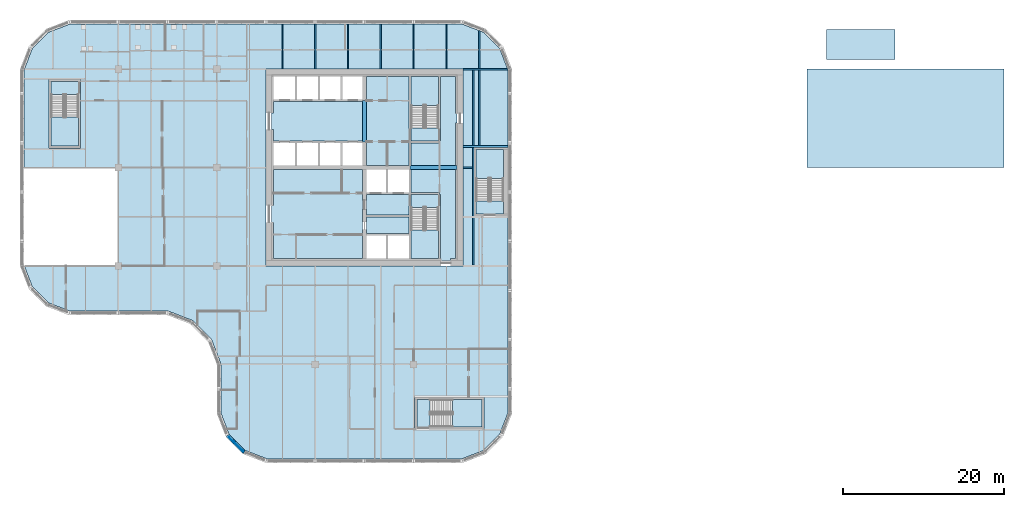
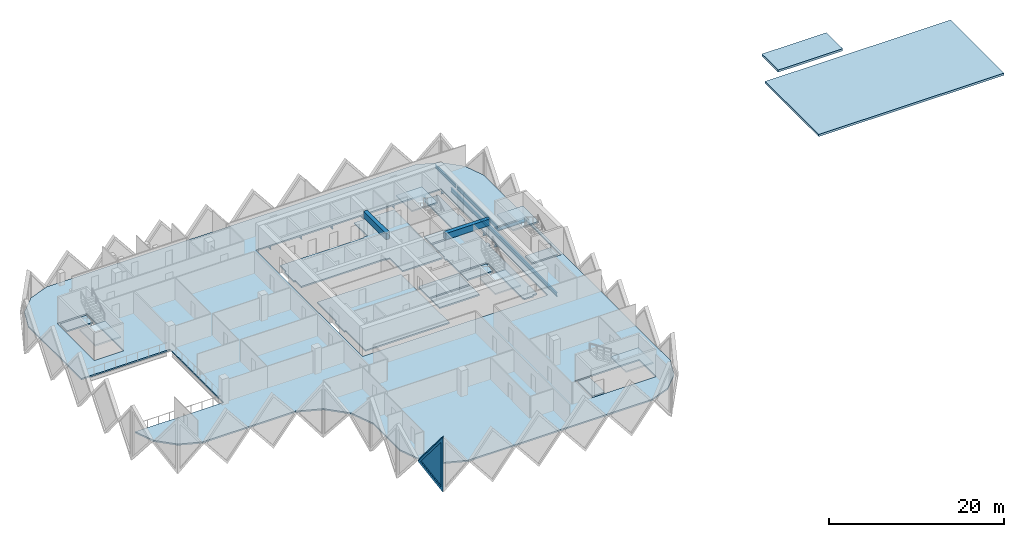
# One storey, part 2 of 13: 18 slabs, 14 beams, 1 plate, 1 wall, 1 opening, 5 elements without a shape of their own.
"""IFC4 building model written with IfcOpenShell, lengths in metres."""

from ifc_helpers import new_model, si_unit, direction, frame, origin, origin_2d, place, context, subcontext, project, spatial, polyline, rectangle, i_section, outline, extrude, faceted_brep, source, transform, mapped, material, layer, layer_set, material_profile, profile_set, type_object, element, fill, aggregate, save


model = new_model("IFC4")

# Units and contexts
model_context = context("Model", 3, precision=1e-05, world=origin(), true_north=direction((0.0, 1.0)))
body_context = subcontext(model_context, "Body", "Model", "MODEL_VIEW")
ifc_project = project(units=[si_unit("LENGTHUNIT", "METRE"), si_unit("AREAUNIT", "SQUARE_METRE"), si_unit("VOLUMEUNIT", "CUBIC_METRE"), si_unit("PLANEANGLEUNIT", "RADIAN"), si_unit("MASSUNIT", "GRAM", prefix="KILO")], contexts=[model_context])

# Site, building, storey
site_placement = place(None, origin())
site = spatial("IfcSite", under=ifc_project, at=site_placement, CompositionType="ELEMENT")
building_placement = place(site_placement, origin())
building = spatial("IfcBuilding", under=site, at=building_placement, Name="Tessera Gate Towers", CompositionType="ELEMENT")
storey_placement = place(building_placement, frame((0.0, 0.0, 116.39990234375)))
storey = spatial("IfcBuildingStorey", under=building, at=storey_placement, Name="L28", CompositionType="ELEMENT", Elevation=116.39990234375)

# Beams
ifc_material_1 = material(Name="Concrete C60/75", Category="concrete")
ifc_material_profile_1 = material_profile(ifc_material_1, rectangle(XDim=0.5, YDim=0.89990234375, at=origin_2d()), Name="RC 500x900")
ifc_profile_set_1 = profile_set([ifc_material_profile_1], Name="Concrete C60/75")
beam_type_1 = type_object("IfcBeamType", Name="COUPLING BEAM 500x900 C60/75", PredefinedType="BEAM", material=ifc_profile_set_1)
beam_1_placement = place(storey_placement, frame((48.35009765625, 36.60009765625, 3.150146484375), z_axis=(1.0, 0.0, 0.0), x_axis=(0.0, 1.0, 0.0)))
element("IfcBeam", 1, at=beam_1_placement, inside=storey, type_object=beam_type_1, Name="L28 coupling beam 1", PredefinedType="BEAM", context=body_context, shape_type="SweptSolid", body=[
    extrude(rectangle(XDim=0.5, YDim=0.89990234375, at=origin_2d()), origin(), (0.0, 0.0, 1.0), 5.849853515625),
])
beam_2_placement = place(storey_placement, frame((42.699951171875, 39.800048828125, 3.150146484375), z_axis=(0.0, 1.0, 0.0), x_axis=(-1.0, 0.0, 0.0)))
element("IfcBeam", 2, at=beam_2_placement, inside=storey, type_object=beam_type_1, Name="L28 coupling beam 2", PredefinedType="BEAM", context=body_context, shape_type="SweptSolid", body=[
    extrude(rectangle(XDim=0.5, YDim=0.89990234375, at=origin_2d()), origin(), (0.0, 0.0, 1.0), 5.099853515625),
])
ifc_material_2 = material(Name="Steel 350W", Category="steel")
ifc_material_profile_2 = material_profile(ifc_material_2, i_section(OverallWidth=0.208984375, OverallDepth=0.532958984375, WebThickness=0.01025390625, FlangeThickness=0.015625, at=origin_2d()), Name="W530x92")
ifc_profile_set_2 = profile_set([ifc_material_profile_2], Name="Steel 350W")
beam_type_2 = type_object("IfcBeamType", Name="FLOOR GIRDER W530x92", PredefinedType="BEAM", material=ifc_profile_set_2)
beam_3_placement = place(storey_placement, frame((54.89892578125, 36.60009765625, -0.46630859375), z_axis=(1.0, 0.0, 0.0), x_axis=(0.0, 1.0, 0.0)))
element("IfcBeam", 3, at=beam_3_placement, inside=storey, type_object=beam_type_2, Name="T1-GD-L28-3640", PredefinedType="BEAM", context=body_context, shape_type="SweptSolid", body=[
    extrude(i_section(OverallWidth=0.208984375, OverallDepth=0.532958984375, WebThickness=0.01025390625, FlangeThickness=0.015625, at=origin_2d()), origin(), (0.0, 0.0, 1.0), 1.176513671875),
])
beam_4_placement = place(storey_placement, frame((54.90087890625, 48.800048828125, -0.46630859375), z_axis=(1.0, 0.0, 0.0), x_axis=(0.0, 1.0, 0.0)))
element("IfcBeam", 4, at=beam_4_placement, inside=storey, type_object=beam_type_2, Name="T1-GD-L28-3644", PredefinedType="BEAM", context=body_context, shape_type="SweptSolid", body=[
    extrude(i_section(OverallWidth=0.208984375, OverallDepth=0.532958984375, WebThickness=0.01025390625, FlangeThickness=0.015625, at=origin_2d()), origin(), (0.0, 0.0, 1.0), 5.564208984375),
])
beam_5_placement = place(storey_placement, frame((54.89892578125, 39.219970703125, -0.46630859375), z_axis=(1.0, 0.0, 0.0), x_axis=(0.0, 1.0, 0.0)))
element("IfcBeam", 5, at=beam_5_placement, inside=storey, type_object=beam_type_2, Name="T1-GD-L28-3662", PredefinedType="BEAM", context=body_context, shape_type="SweptSolid", body=[
    extrude(i_section(OverallWidth=0.208984375, OverallDepth=0.532958984375, WebThickness=0.01025390625, FlangeThickness=0.015625, at=origin_2d()), origin(), (0.0, 0.0, 1.0), 5.60205078125),
])
beam_6_placement = place(storey_placement, frame((56.179931640625, 24.50439453125, -0.46630859375), z_axis=(0.0, 1.0, 0.0), x_axis=(-1.0, 0.0, 0.0)))
element("IfcBeam", 6, at=beam_6_placement, inside=storey, type_object=beam_type_2, Name="T1-GD-L28-3663", PredefinedType="BEAM", context=body_context, shape_type="SweptSolid", body=[
    extrude(i_section(OverallWidth=0.208984375, OverallDepth=0.532958984375, WebThickness=0.01025390625, FlangeThickness=0.015625, at=origin_2d()), origin(), (0.0, 0.0, 1.0), 24.191162109375),
])
ifc_material_3 = material(Name="Steel 350W", Category="steel")
ifc_material_profile_3 = material_profile(ifc_material_3, i_section(OverallWidth=0.153076171875, OverallDepth=0.455078125, WebThickness=0.008056640625, FlangeThickness=0.01318359375, at=origin_2d()), Name="W460x60")
ifc_profile_set_3 = profile_set([ifc_material_profile_3], Name="Steel 350W")
beam_type_3 = type_object("IfcBeamType", Name="FLOOR SECONDARY W460x60", PredefinedType="BEAM", material=ifc_profile_set_3)
for number, where, z_axis, x_axis, name in (
    (7, (32.533203125, 48.800048828125, -0.427490234375), (0.0, 1.0, 0.0), (-1.0, 0.0, 0.0), "T1-BM-L28-3685"),
    (8, (36.60009765625, 48.800048828125, -0.427490234375), (0.0, 1.0, 0.0), (-1.0, 0.0, 0.0), "T1-BM-L28-3686"),
    (9, (40.666748046875, 48.800048828125, -0.427490234375), (0.0, 1.0, 0.0), (-1.0, 0.0, 0.0), "T1-BM-L28-3689"),
    (10, (44.7333984375, 48.800048828125, -0.427490234375), (0.0, 1.0, 0.0), (-1.0, 0.0, 0.0), "T1-BM-L28-3692"),
    (11, (48.800048828125, 48.800048828125, -0.427490234375), (0.0, 1.0, 0.0), (-1.0, 0.0, 0.0), "T1-BM-L28-3693"),
    (12, (52.86669921875, 48.800048828125, -0.427490234375), (0.0, 1.0, 0.0), (-1.0, 0.0, 0.0), "T1-BM-L28-3697"),
):
    element("IfcBeam", number, at=place(storey_placement, frame(where, z_axis=z_axis, x_axis=x_axis)), inside=storey, type_object=beam_type_3, Name=name, PredefinedType="BEAM", context=body_context, shape_type="SweptSolid", body=[
        extrude(i_section(OverallWidth=0.153076171875, OverallDepth=0.455078125, WebThickness=0.008056640625, FlangeThickness=0.01318359375, at=origin_2d()), origin(), (0.0, 0.0, 1.0), 5.599853515625),
    ])
beam_7_placement = place(storey_placement, frame((56.933349609375, 39.324462890625, -0.427490234375), z_axis=(0.0, 1.0, 0.0), x_axis=(-1.0, 0.0, 0.0)))
element("IfcBeam", 13, at=beam_7_placement, inside=storey, type_object=beam_type_3, Name="T1-BM-L28-3702", PredefinedType="BEAM", context=body_context, shape_type="SweptSolid", body=[
    extrude(i_section(OverallWidth=0.153076171875, OverallDepth=0.455078125, WebThickness=0.008056640625, FlangeThickness=0.01318359375, at=origin_2d()), origin(), (0.0, 0.0, 1.0), 9.37109375),
])
beam_8_placement = place(storey_placement, frame((56.933349609375, 48.904541015625, -0.427490234375), z_axis=(0.0, 1.0, 0.0), x_axis=(-1.0, 0.0, 0.0)))
element("IfcBeam", 14, at=beam_8_placement, inside=storey, type_object=beam_type_3, Name="T1-BM-L28-3703", PredefinedType="BEAM", context=body_context, shape_type="SweptSolid", body=[
    extrude(i_section(OverallWidth=0.153076171875, OverallDepth=0.455078125, WebThickness=0.008056640625, FlangeThickness=0.01318359375, at=origin_2d()), origin(), (0.0, 0.0, 1.0), 4.675048828125),
])

# Slabs
ifc_material_4 = material(Name="Concrete C35/45", Category="concrete")
ifc_layer_1 = layer(ifc_material_4, 0.199951171875)
ifc_layer_set_1 = layer_set([ifc_layer_1], Name="COMPOSITE FLOOR 200")
slab_type_1 = type_object("IfcSlabType", Name="COMPOSITE FLOOR 200", PredefinedType="FLOOR", material=ifc_layer_set_1)
slab_1_placement = place(storey_placement, frame((0.0, 0.0, -0.199951171875)))
element("IfcSlab", 15, at=slab_1_placement, inside=storey, type_object=slab_type_1, Name="T1-L28", PredefinedType="FLOOR", context=body_context, shape_type="SweptSolid", body=[
    extrude(outline(polyline([(0.5, 36.60009765625), (12.199951171875, 36.60009765625), (12.199951171875, 24.39990234375), (0.535888671875, 24.39990234375), (1.526123046875, 21.8330078125), (3.533203125, 19.826171875), (6.193115234375, 18.800048828125), (18.39306640625, 18.800048828125), (21.42431640625, 17.630615234375), (23.730712890625, 15.32421875), (24.89990234375, 12.293212890625), (24.89990234375, 6.193115234375), (25.926025390625, 3.533203125), (27.93310546875, 1.526123046875), (30.593017578125, 0.5), (54.806884765625, 0.5), (57.466796875, 1.526123046875), (59.473876953125, 3.533203125), (60.5, 6.193115234375), (60.5, 48.706787109375), (59.473876953125, 51.366943359375), (57.466796875, 53.373779296875), (54.806884765625, 54.39990234375), (6.193115234375, 54.39990234375), (3.533203125, 53.373779296875), (1.526123046875, 51.366943359375), (0.5, 48.706787109375), (0.5, 36.60009765625)]), holes=[polyline([(3.60009765625, 39.0), (3.60009765625, 47.5), (7.5, 47.5), (7.5, 39.0), (3.60009765625, 39.0)]), polyline([(30.5, 24.39990234375), (30.5, 48.800048828125), (54.89990234375, 48.800048828125), (54.89990234375, 24.39990234375), (30.5, 24.39990234375)]), polyline([(49.0, 4.199951171875), (49.0, 8.10009765625), (57.5, 8.10009765625), (57.5, 4.199951171875), (49.0, 4.199951171875)]), polyline([(56.300048828125, 30.60009765625), (56.300048828125, 39.10009765625), (60.199951171875, 39.10009765625), (60.199951171875, 30.60009765625), (56.300048828125, 30.60009765625)])]), origin(), (0.0, 0.0, 1.0), 0.199951171875),
])
ifc_material_5 = material(Name="Concrete C35/45", Category="concrete")
ifc_layer_2 = layer(ifc_material_5, 0.199951171875)
ifc_layer_set_2 = layer_set([ifc_layer_2], Name="CORE FLOOR SLAB 200")
slab_type_2 = type_object("IfcSlabType", Name="CORE FLOOR SLAB 200", PredefinedType="FLOOR", material=ifc_layer_set_2)
slab_2_placement = place(storey_placement, frame((0.0, 0.0, -0.199951171875)))
element("IfcSlab", 16, at=slab_2_placement, inside=storey, type_object=slab_type_2, Name="L28 core floor slab", PredefinedType="FLOOR", context=body_context, shape_type="SweptSolid", body=[
    extrude(outline(polyline([(31.39990234375, 36.35009765625), (31.39990234375, 31.89990234375), (31.199951171875, 31.89990234375), (31.199951171875, 29.800048828125), (31.39990234375, 29.800048828125), (31.39990234375, 25.300048828125), (42.449951171875, 25.300048828125), (42.449951171875, 36.35009765625), (31.39990234375, 36.35009765625)])), origin(), (0.0, 0.0, 1.0), 0.199951171875),
])
slab_3_placement = place(storey_placement, frame((0.0, 0.0, -0.199951171875)))
element("IfcSlab", 17, at=slab_3_placement, inside=storey, type_object=slab_type_2, Name="L28 core floor slab", PredefinedType="FLOOR", context=body_context, shape_type="SweptSolid", body=[
    extrude(outline(polyline([(42.449951171875, 44.89990234375), (42.449951171875, 44.77490234375), (31.39990234375, 44.77490234375), (31.39990234375, 43.39990234375), (31.199951171875, 43.39990234375), (31.199951171875, 41.300048828125), (31.39990234375, 41.300048828125), (31.39990234375, 39.925048828125), (42.449951171875, 39.925048828125), (42.449951171875, 39.800048828125), (42.949951171875, 39.800048828125), (42.949951171875, 36.85009765625), (48.22509765625, 36.85009765625), (48.22509765625, 47.89990234375), (42.949951171875, 47.89990234375), (42.949951171875, 44.89990234375), (42.449951171875, 44.89990234375)])), origin(), (0.0, 0.0, 1.0), 0.199951171875),
])
slab_4_placement = place(storey_placement, frame((0.0, 0.0, -0.199951171875)))
element("IfcSlab", 18, at=slab_4_placement, inside=storey, type_object=slab_type_2, Name="L28 core floor slab", PredefinedType="FLOOR", context=body_context, shape_type="SweptSolid", body=[
    extrude(outline(polyline([(52.125, 25.300048828125), (52.199951171875, 25.300048828125), (52.199951171875, 25.10009765625), (53.39990234375, 25.10009765625), (53.39990234375, 25.300048828125), (54.0, 25.300048828125), (54.0, 36.320068359375), (54.199951171875, 36.320068359375), (54.199951171875, 36.8798828125), (54.0, 36.8798828125), (54.0, 42.10009765625), (54.199951171875, 42.10009765625), (54.199951171875, 43.300048828125), (54.0, 43.300048828125), (54.0, 47.89990234375), (52.125, 47.89990234375), (52.125, 39.925048828125), (52.0, 39.925048828125), (52.0, 39.675048828125), (48.47509765625, 39.675048828125), (48.47509765625, 36.85009765625), (48.35009765625, 36.85009765625), (48.35009765625, 36.35009765625), (48.47509765625, 36.35009765625), (48.47509765625, 33.52490234375), (52.0, 33.52490234375), (52.0, 33.27490234375), (52.125, 33.27490234375), (52.125, 25.300048828125)])), origin(), (0.0, 0.0, 1.0), 0.199951171875),
])
slab_5_placement = place(storey_placement, frame((0.0, 0.0, -0.199951171875)))
element("IfcSlab", 19, at=slab_5_placement, inside=storey, type_object=slab_type_2, Name="L28 core floor slab", PredefinedType="FLOOR", context=body_context, shape_type="SweptSolid", body=[
    extrude(outline(polyline([(42.949951171875, 33.27490234375), (42.949951171875, 30.72509765625), (48.22509765625, 30.72509765625), (48.22509765625, 33.27490234375), (42.949951171875, 33.27490234375)])), origin(), (0.0, 0.0, 1.0), 0.199951171875),
])
slab_6_placement = place(storey_placement, frame((0.0, 0.0, -0.199951171875)))
element("IfcSlab", 20, at=slab_6_placement, inside=storey, type_object=slab_type_2, Name="L28 core floor slab", PredefinedType="FLOOR", context=body_context, shape_type="SweptSolid", body=[
    extrude(outline(polyline([(48.22509765625, 30.47509765625), (42.949951171875, 30.47509765625), (42.949951171875, 28.425048828125), (48.22509765625, 28.425048828125), (48.22509765625, 30.47509765625)])), origin(), (0.0, 0.0, 1.0), 0.199951171875),
])
slab_7_placement = place(storey_placement, frame((0.0, 0.0, -0.199951171875)))
element("IfcSlab", 21, at=slab_7_placement, inside=storey, type_object=slab_type_2, Name="L28 core floor slab", PredefinedType="FLOOR", context=body_context, shape_type="SweptSolid", body=[
    extrude(outline(polyline([(51.875, 31.675048828125), (51.875, 33.27490234375), (48.47509765625, 33.27490234375), (48.47509765625, 31.675048828125), (51.875, 31.675048828125)])), origin(), (0.0, 0.0, 1.0), 0.199951171875),
])
slab_8_placement = place(storey_placement, frame((0.0, 0.0, -0.199951171875)))
element("IfcSlab", 22, at=slab_8_placement, inside=storey, type_object=slab_type_2, Name="L28 core floor slab", PredefinedType="FLOOR", context=body_context, shape_type="SweptSolid", body=[
    extrude(outline(polyline([(48.47509765625, 41.52490234375), (48.47509765625, 39.925048828125), (51.875, 39.925048828125), (51.875, 41.52490234375), (48.47509765625, 41.52490234375)])), origin(), (0.0, 0.0, 1.0), 0.199951171875),
])
slab_9_placement = place(storey_placement, frame((0.0, 0.0, -0.199951171875)))
element("IfcSlab", 23, at=slab_9_placement, inside=storey, type_object=slab_type_2, Name="L28 ST3 floor landing", PredefinedType="FLOOR", context=body_context, shape_type="SweptSolid", body=[
    extrude(outline(polyline([(3.85009765625, 47.25), (3.85009765625, 45.64990234375), (7.25, 45.64990234375), (7.25, 47.25), (3.85009765625, 47.25)])), origin(), (0.0, 0.0, 1.0), 0.199951171875),
])
slab_10_placement = place(storey_placement, frame((0.0, 0.0, -0.199951171875)))
element("IfcSlab", 24, at=slab_10_placement, inside=storey, type_object=slab_type_2, Name="L28 ST4 floor landing", PredefinedType="FLOOR", context=body_context, shape_type="SweptSolid", body=[
    extrude(outline(polyline([(49.25, 4.449951171875), (50.85009765625, 4.449951171875), (50.85009765625, 7.85009765625), (49.25, 7.85009765625), (49.25, 4.449951171875)])), origin(), (0.0, 0.0, 1.0), 0.199951171875),
])
slab_11_placement = place(storey_placement, frame((0.0, 0.0, -0.199951171875)))
element("IfcSlab", 25, at=slab_11_placement, inside=storey, type_object=slab_type_2, Name="L28 ST5 floor landing", PredefinedType="FLOOR", context=body_context, shape_type="SweptSolid", body=[
    extrude(outline(polyline([(59.949951171875, 30.85009765625), (59.949951171875, 32.449951171875), (56.550048828125, 32.449951171875), (56.550048828125, 30.85009765625), (59.949951171875, 30.85009765625)])), origin(), (0.0, 0.0, 1.0), 0.199951171875),
])

# Stair, slab
ifc_material_6 = material(Name="Concrete C40/50", Category="concrete")
stair_type_1 = type_object("IfcStairType", Name="EXIT STAIR ST1 1600", PredefinedType="HALF_TURN_STAIR", material=ifc_material_6)
stair_1_placement = place(storey_placement, origin())
stair_1 = element("IfcStair", 26, at=stair_1_placement, inside=storey, type_object=stair_type_1, Name="L28 Protected Exit Stair ST1", PredefinedType="HALF_TURN_STAIR")
ifc_material_7 = material(Name="Concrete C40/50", Category="concrete")
ifc_layer_3 = layer(ifc_material_7, 0.199951171875)
ifc_layer_set_3 = layer_set([ifc_layer_3], Name="EXIT STAIR LANDING 200")
slab_type_3 = type_object("IfcSlabType", Name="EXIT STAIR LANDING 200", PredefinedType="LANDING", material=ifc_layer_set_3)
slab_12_placement = place(storey_placement, frame((0.0, 0.0, 1.7001953125)))
slab_12 = element("IfcSlab", 27, at=slab_12_placement, type_object=slab_type_3, Name="ST1 landing 1", PredefinedType="LANDING", context=body_context, shape_type="SweptSolid", body=[
    extrude(outline(polyline([(48.47509765625, 28.875), (48.47509765625, 25.300048828125), (51.875, 25.300048828125), (51.875, 28.875), (48.47509765625, 28.875)])), origin(), (0.0, 0.0, 1.0), 0.199951171875),
])
aggregate(stair_1, [slab_12])

ifc_material_8 = material(Name="Concrete C40/50", Category="concrete")
stair_type_2 = type_object("IfcStairType", Name="EXIT STAIR ST2 1600", PredefinedType="HALF_TURN_STAIR", material=ifc_material_8)
stair_2_placement = place(storey_placement, origin())
stair_2 = element("IfcStair", 28, at=stair_2_placement, inside=storey, type_object=stair_type_2, Name="L28 Protected Exit Stair ST2", PredefinedType="HALF_TURN_STAIR")
slab_13_placement = place(storey_placement, frame((0.0, 0.0, 1.7001953125)))
slab_13 = element("IfcSlab", 29, at=slab_13_placement, type_object=slab_type_3, Name="ST2 landing 1", PredefinedType="LANDING", context=body_context, shape_type="SweptSolid", body=[
    extrude(outline(polyline([(51.875, 44.324951171875), (51.875, 47.89990234375), (48.47509765625, 47.89990234375), (48.47509765625, 44.324951171875), (51.875, 44.324951171875)])), origin(), (0.0, 0.0, 1.0), 0.199951171875),
])
aggregate(stair_2, [slab_13])

ifc_material_9 = material(Name="Concrete C40/50", Category="concrete")
stair_type_3 = type_object("IfcStairType", Name="EXIT STAIR ST3 1600", PredefinedType="HALF_TURN_STAIR", material=ifc_material_9)
stair_3_placement = place(storey_placement, origin())
stair_3 = element("IfcStair", 30, at=stair_3_placement, inside=storey, type_object=stair_type_3, Name="L28 West Exit Stair ST3", PredefinedType="HALF_TURN_STAIR")
slab_14_placement = place(storey_placement, frame((0.0, 0.0, 1.7001953125)))
slab_14 = element("IfcSlab", 31, at=slab_14_placement, type_object=slab_type_3, Name="ST3 landing 1", PredefinedType="LANDING", context=body_context, shape_type="SweptSolid", body=[
    extrude(outline(polyline([(3.85009765625, 42.85009765625), (3.85009765625, 39.25), (7.25, 39.25), (7.25, 42.85009765625), (3.85009765625, 42.85009765625)])), origin(), (0.0, 0.0, 1.0), 0.199951171875),
])
aggregate(stair_3, [slab_14])

ifc_material_10 = material(Name="Concrete C40/50", Category="concrete")
stair_type_4 = type_object("IfcStairType", Name="EXIT STAIR ST4 1600", PredefinedType="HALF_TURN_STAIR", material=ifc_material_10)
stair_4_placement = place(storey_placement, origin())
stair_4 = element("IfcStair", 32, at=stair_4_placement, inside=storey, type_object=stair_type_4, Name="L28 South Exit Stair ST4", PredefinedType="HALF_TURN_STAIR")
slab_15_placement = place(storey_placement, frame((0.0, 0.0, 1.7001953125)))
slab_15 = element("IfcSlab", 33, at=slab_15_placement, type_object=slab_type_3, Name="ST4 landing 1", PredefinedType="LANDING", context=body_context, shape_type="SweptSolid", body=[
    extrude(outline(polyline([(53.64990234375, 4.449951171875), (57.25, 4.449951171875), (57.25, 7.85009765625), (53.64990234375, 7.85009765625), (53.64990234375, 4.449951171875)])), origin(), (0.0, 0.0, 1.0), 0.199951171875),
])
aggregate(stair_4, [slab_15])

ifc_material_11 = material(Name="Concrete C40/50", Category="concrete")
stair_type_5 = type_object("IfcStairType", Name="EXIT STAIR ST5 1600", PredefinedType="HALF_TURN_STAIR", material=ifc_material_11)
stair_5_placement = place(storey_placement, origin())
stair_5 = element("IfcStair", 34, at=stair_5_placement, inside=storey, type_object=stair_type_5, Name="L28 East Exit Stair ST5", PredefinedType="HALF_TURN_STAIR")
slab_16_placement = place(storey_placement, frame((0.0, 0.0, 1.7001953125)))
slab_16 = element("IfcSlab", 35, at=slab_16_placement, type_object=slab_type_3, Name="ST5 landing 1", PredefinedType="LANDING", context=body_context, shape_type="SweptSolid", body=[
    extrude(outline(polyline([(59.949951171875, 35.25), (59.949951171875, 38.85009765625), (56.550048828125, 38.85009765625), (56.550048828125, 35.25), (59.949951171875, 35.25)])), origin(), (0.0, 0.0, 1.0), 0.199951171875),
])
aggregate(stair_5, [slab_16])

# Slabs
ifc_material_12 = material(Name="Concrete C35/45", Category="concrete")
ifc_layer_4 = layer(ifc_material_12, 0.300048828125)
ifc_layer_set_4 = layer_set([ifc_layer_4], Name="ROOF SLAB 300")
slab_type_4 = type_object("IfcSlabType", Name="ROOF SLAB 300", PredefinedType="ROOF", material=ifc_layer_set_4)
slab_17_placement = place(storey_placement, frame((0.0, 0.0, -0.2998046875)))
element("IfcSlab", 36, at=slab_17_placement, inside=storey, type_object=slab_type_4, Name="T2-CORE-ROOF", PredefinedType="ROOF", context=body_context, shape_type="SweptSolid", body=[
    extrude(outline(polyline([(97.60009765625, 36.60009765625), (122.0, 36.60009765625), (122.0, 48.800048828125), (97.60009765625, 48.800048828125), (97.60009765625, 36.60009765625)])), origin(), (0.0, 0.0, 1.0), 0.2998046875),
])
ifc_material_13 = material(Name="Concrete C35/45", Category="concrete")
ifc_layer_5 = layer(ifc_material_13, 0.300048828125)
ifc_layer_set_5 = layer_set([ifc_layer_5], Name="STAIR HEAD ROOF SLAB 300")
slab_type_5 = type_object("IfcSlabType", Name="STAIR HEAD ROOF SLAB 300", PredefinedType="ROOF", material=ifc_layer_set_5)
slab_18_placement = place(storey_placement, frame((0.0, 0.0, -0.2998046875)))
element("IfcSlab", 37, at=slab_18_placement, inside=storey, type_object=slab_type_5, Name="ST7 stair head roof", PredefinedType="ROOF", context=body_context, shape_type="SweptSolid", body=[
    extrude(outline(polyline([(100.0, 50.0), (108.5, 50.0), (108.5, 53.699951171875), (100.0, 53.699951171875), (100.0, 50.0)])), origin(), (0.0, 0.0, 1.0), 0.2998046875),
])

# Wall, opening, plate
ifc_material_14 = material(Name="Precast concrete C60/75 white", Category="concrete")
ifc_layer_6 = layer(ifc_material_14, 0.5)
ifc_layer_set_6 = layer_set([ifc_layer_6], Name="TS3 corner tessera")
wall_type = type_object("IfcWallType", Name="TS3 corner tessera", PredefinedType="SOLIDWALL", material=ifc_layer_set_6)
shared_shape_1 = source(origin(), body_context, "Body", "Brep", [
    faceted_brep([(2.944091796875, -0.25, 0.0), (2.9970703125, -0.25, 0.068115234375), (2.9970703125, -0.25, 7.53173828125), (2.944091796875, -0.25, 7.599853515625), (0.0, -0.25, 3.7998046875), (0.052978515625, 0.25, 3.8681640625), (2.89111328125, 0.25, 7.53173828125), (2.89111328125, 0.25, 0.068115234375), (0.052978515625, 0.25, 3.7314453125), (2.944091796875, 0.000244140625, 0.0), (2.944091796875, 0.000244140625, 7.599853515625), (0.0, 0.0, 3.7998046875)], [[[0, 1, 2, 3, 4]], [[5, 6, 7, 8]], [[1, 0, 9]], [[10, 3, 2]], [[6, 5, 11, 4, 3, 10]], [[8, 7, 9, 0, 4, 11]], [[8, 11, 5]], [[1, 9, 7, 6, 10, 2]]]),
])
wall_placement = place(storey_placement, frame((25.7119140625, 3.393798828125, -3.7998046875), z_axis=(0.0, 0.0, 1.0), x_axis=(0.707066050402, -0.707147509625, 0.0)))
wall = element("IfcWall", 38, at=wall_placement, inside=storey, type_object=wall_type, Name="Precast corner tessera T1 TS3-0647", PredefinedType="SOLIDWALL", context=body_context, shape_type="MappedRepresentation", body=[
    mapped(shared_shape_1, transform((0.0, 0.0, 0.0), scale=1.0)),
])
shared_shape_2 = source(origin(), body_context, "Body", "SweptSolid", [
    extrude(outline(polyline([(2.744140625, 6.93359375), (0.316162109375, 3.7998046875), (2.744140625, 0.666259765625), (2.744140625, 6.93359375)])), frame((0.0, 0.260009765625, 0.0), z_axis=(0.0, -1.0, 0.0), x_axis=(1.0, 0.0, 0.0)), (0.0, 0.0, 1.0), 0.52001953125),
])
opening_placement = place(wall_placement, origin())
opening = element("IfcOpeningElement", 39, at=opening_placement, cuts=wall, Name="Opening T1-PL2-0938", PredefinedType="OPENING", context=body_context, shape_type="MappedRepresentation", body=[
    mapped(shared_shape_2, transform((0.0, 0.0, 0.0), scale=1.0)),
])
ifc_material_15 = material(Name="Low-e laminated glass", Category="glass")
ifc_layer_7 = layer(ifc_material_15, 0.06005859375)
ifc_layer_set_7 = layer_set([ifc_layer_7], Name="PL2 rhombic pane")
plate_type = type_object("IfcPlateType", Name="PL2 rhombic pane", PredefinedType="SHEET", material=ifc_layer_set_7)
shared_shape_3 = source(origin(), body_context, "Body", "SweptSolid", [
    extrude(outline(polyline([(2.744140625, 6.93359375), (0.316162109375, 3.7998046875), (2.744140625, 0.666259765625), (2.744140625, 6.93359375)])), frame((0.0, 0.030029296875, 0.0), z_axis=(0.0, -1.0, 0.0), x_axis=(1.0, 0.0, 0.0)), (0.0, 0.0, 1.0), 0.06005859375),
])
plate_placement = place(opening_placement, origin())
plate = element("IfcPlate", 40, at=plate_placement, inside=storey, type_object=plate_type, Name="Glass pane T1 PL2-0938", PredefinedType="SHEET", context=body_context, shape_type="MappedRepresentation", body=[
    mapped(shared_shape_3, transform((0.0, 0.0, 0.0), scale=1.0)),
])
fill(opening, plate)

save(model, "model.ifc")
